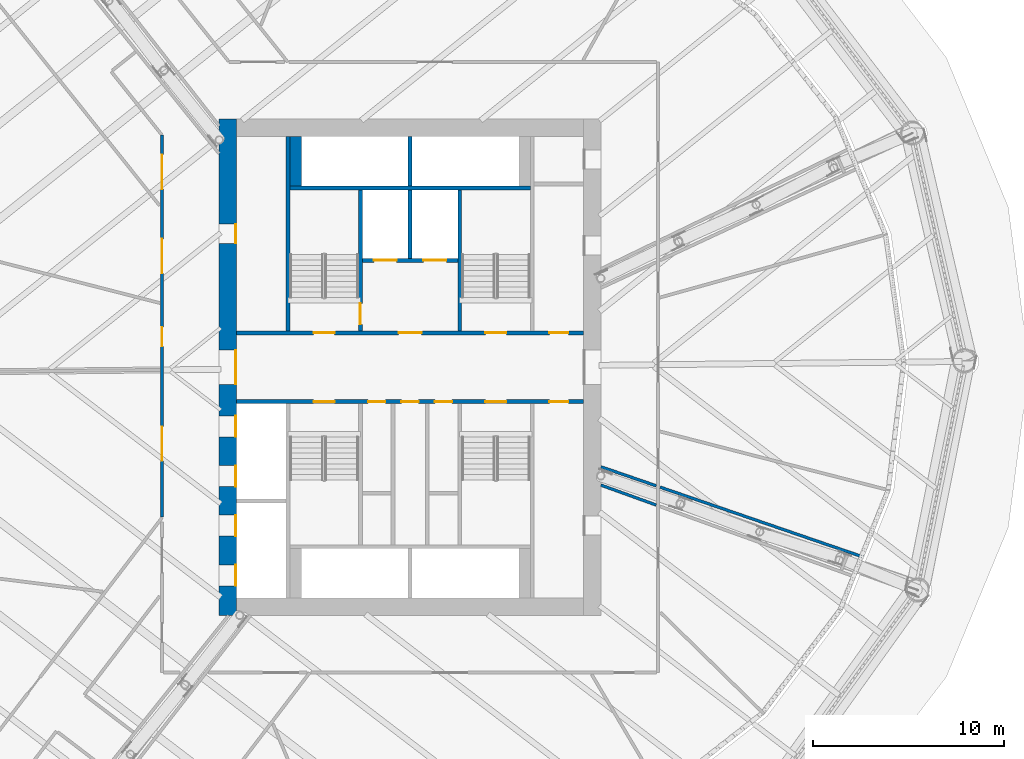
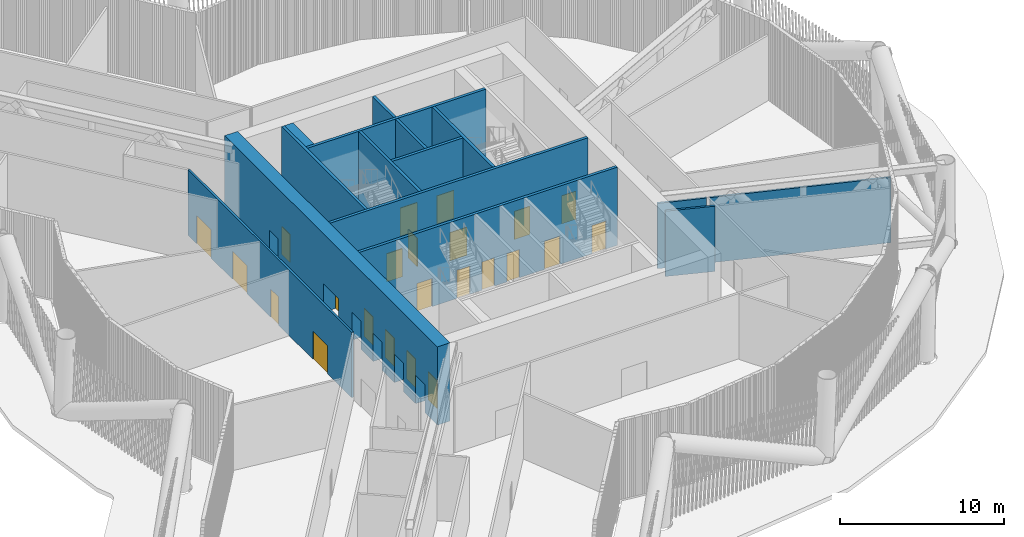
# One storey, part 16 of 48: 23 doors, 15 walls, 23 openings.
"""IFC4 building model written with IfcOpenShell, lengths in metres."""

from ifc_helpers import new_model, si_unit, direction, frame, frame_2d, origin, place, context, subcontext, project, spatial, rectangle, extrude, material, layer, layer_set, type_object, element, fill, save


model = new_model("IFC4")

# Units and contexts
model_context = context("Model", 3, precision=1e-05, world=origin(), true_north=direction((0.0, 1.0)))
body_context = subcontext(model_context, "Body", "Model", "MODEL_VIEW")
ifc_project = project(units=[si_unit("LENGTHUNIT", "METRE"), si_unit("AREAUNIT", "SQUARE_METRE"), si_unit("VOLUMEUNIT", "CUBIC_METRE"), si_unit("PLANEANGLEUNIT", "RADIAN"), si_unit("MASSUNIT", "GRAM", prefix="KILO")], contexts=[model_context])

# Site, building, storey
site_placement = place(None, origin())
site = spatial("IfcSite", under=ifc_project, at=site_placement, CompositionType="ELEMENT")
building_placement = place(site_placement, origin())
building = spatial("IfcBuilding", under=site, at=building_placement, Name="Tarsis Ring Headquarters", CompositionType="ELEMENT")
storey_placement = place(building_placement, frame((0.0, 0.0, 34.0)))
storey = spatial("IfcBuildingStorey", under=building, at=storey_placement, Name="L06", CompositionType="ELEMENT", Elevation=34.0)

# Wall, openings, doors
ifc_material_1 = material(Name="Concrete C60/75", Category="concrete")
ifc_layer_1 = layer(ifc_material_1, 0.89990234375)
ifc_layer_set_1 = layer_set([ifc_layer_1], Name="Core wall 900 C60/75")
wall_type_1 = type_object("IfcWallType", Name="Core wall 900 C60/75", PredefinedType="SHEAR", material=ifc_layer_set_1)
wall_1_placement = place(storey_placement, frame((-9.550048828125, -13.0, 0.0), z_axis=(0.0, 0.0, 1.0), x_axis=(0.0, 1.0, 0.0)))
wall_1 = element("IfcWall", 1, at=wall_1_placement, inside=storey, type_object=wall_type_1, Name="Core wall OW", PredefinedType="SHEAR", context=body_context, shape_type="SweptSolid", body=[
    extrude(rectangle(XDim=26.0, YDim=0.89990234375, at=frame_2d((13.0, 0.0))), origin(), (0.0, 0.0, 1.0), 5.840087890625),
])
opening_1_placement = place(wall_1_placement, frame((1.550048828125, 0.0, 0.0)))
opening_1 = element("IfcOpeningElement", 2, at=opening_1_placement, cuts=wall_1, Name="Opening LD-LR1", PredefinedType="OPENING", context=body_context, shape_type="SweptSolid", body=[
    extrude(rectangle(XDim=1.10009765625, YDim=2.10009765625, at=frame_2d((0.550048828125, 1.050048828125))), frame((0.0, 0.4599609375, 0.0), z_axis=(0.0, -1.0, 0.0), x_axis=(1.0, 0.0, 0.0)), (0.0, 0.0, 1.0), 0.919921875),
])
opening_2_placement = place(wall_1_placement, frame((4.14990234375, 0.0, 0.0)))
opening_2 = element("IfcOpeningElement", 3, at=opening_2_placement, cuts=wall_1, Name="Opening LD-LR2", PredefinedType="OPENING", context=body_context, shape_type="SweptSolid", body=[
    extrude(rectangle(XDim=1.10009765625, YDim=2.10009765625, at=frame_2d((0.550048828125, 1.050048828125))), frame((0.0, 0.4599609375, 0.0), z_axis=(0.0, -1.0, 0.0), x_axis=(1.0, 0.0, 0.0)), (0.0, 0.0, 1.0), 0.919921875),
])
opening_3_placement = place(wall_1_placement, frame((6.75, 0.0, 0.0)))
opening_3 = element("IfcOpeningElement", 4, at=opening_3_placement, cuts=wall_1, Name="Opening LD-LR3", PredefinedType="OPENING", context=body_context, shape_type="SweptSolid", body=[
    extrude(rectangle(XDim=1.10009765625, YDim=2.10009765625, at=frame_2d((0.550048828125, 1.050048828125))), frame((0.0, 0.4599609375, 0.0), z_axis=(0.0, -1.0, 0.0), x_axis=(1.0, 0.0, 0.0)), (0.0, 0.0, 1.0), 0.919921875),
])
opening_4_placement = place(wall_1_placement, frame((9.35009765625, 0.0, 0.0)))
opening_4 = element("IfcOpeningElement", 5, at=opening_4_placement, cuts=wall_1, Name="Opening LD-LR4", PredefinedType="OPENING", context=body_context, shape_type="SweptSolid", body=[
    extrude(rectangle(XDim=1.10009765625, YDim=2.10009765625, at=frame_2d((0.550048828125, 1.050048828125))), frame((0.0, 0.4599609375, 0.0), z_axis=(0.0, -1.0, 0.0), x_axis=(1.0, 0.0, 0.0)), (0.0, 0.0, 1.0), 0.919921875),
])
opening_5_placement = place(wall_1_placement, frame((12.10009765625, 0.0, 0.0)))
opening_5 = element("IfcOpeningElement", 6, at=opening_5_placement, cuts=wall_1, Name="Opening L06-C05", PredefinedType="OPENING", context=body_context, shape_type="SweptSolid", body=[
    extrude(rectangle(XDim=1.800048828125, YDim=2.10009765625, at=frame_2d((0.89990234375, 1.050048828125))), frame((0.0, 0.4599609375, 0.0), z_axis=(0.0, -1.0, 0.0), x_axis=(1.0, 0.0, 0.0)), (0.0, 0.0, 1.0), 0.919921875),
])
opening_6_placement = place(wall_1_placement, frame((19.5, 0.0, 0.0)))
opening_6 = element("IfcOpeningElement", 7, at=opening_6_placement, cuts=wall_1, Name="Opening L06-C06", PredefinedType="OPENING", context=body_context, shape_type="SweptSolid", body=[
    extrude(rectangle(XDim=1.0, YDim=2.10009765625, at=frame_2d((0.5, 1.050048828125))), frame((0.0, 0.4599609375, 0.0), z_axis=(0.0, -1.0, 0.0), x_axis=(1.0, 0.0, 0.0)), (0.0, 0.0, 1.0), 0.919921875),
])
ifc_material_2 = material(Name="Steel S355", Category="steel")
door_type_1 = type_object("IfcDoorType", Name="Core entry door 1800x2100", OperationType="DOUBLE_DOOR_SINGLE_SWING", PredefinedType="DOOR", material=ifc_material_2)
door_1_placement = place(opening_5_placement, origin())
door_1 = element("IfcDoor", 8, at=door_1_placement, inside=storey, type_object=door_type_1, Name="Core entry door L06", OperationType="DOUBLE_DOOR_SINGLE_SWING", OverallHeight=2.10009765625, OverallWidth=1.800048828125, PredefinedType="DOOR", context=body_context, shape_type="SweptSolid", body=[
    extrude(rectangle(XDim=1.800048828125, YDim=2.10009765625, at=frame_2d((0.89990234375, 1.050048828125))), frame((0.0, -0.39990234375, 0.0), z_axis=(0.0, -1.0, 0.0), x_axis=(1.0, 0.0, 0.0)), (0.0, 0.0, 1.0), 0.050048828125),
])
fill(opening_5, door_1)
door_type_2 = type_object("IfcDoorType", Name="Core room door 1000x2100", OperationType="SINGLE_SWING_LEFT", PredefinedType="DOOR", material=ifc_material_2)
door_2_placement = place(opening_6_placement, origin())
door_2 = element("IfcDoor", 9, at=door_2_placement, inside=storey, type_object=door_type_2, Name="Core room door L06", OperationType="SINGLE_SWING_LEFT", OverallHeight=2.10009765625, OverallWidth=1.0, PredefinedType="DOOR", context=body_context, shape_type="SweptSolid", body=[
    extrude(rectangle(XDim=1.0, YDim=2.10009765625, at=frame_2d((0.5, 1.050048828125))), frame((0.0, -0.39990234375, 0.0), z_axis=(0.0, -1.0, 0.0), x_axis=(1.0, 0.0, 0.0)), (0.0, 0.0, 1.0), 0.050048828125),
])
fill(opening_6, door_2)
door_type_3 = type_object("IfcDoorType", Name="Landing door 1100x2100", OperationType="SLIDING_TO_LEFT", PredefinedType="DOOR", material=ifc_material_2)
door_3_placement = place(opening_1_placement, origin())
door_3 = element("IfcDoor", 10, at=door_3_placement, inside=storey, type_object=door_type_3, Name="Landing door LR1 L06", OperationType="SLIDING_TO_LEFT", OverallHeight=2.10009765625, OverallWidth=1.10009765625, PredefinedType="DOOR", context=body_context, shape_type="SweptSolid", body=[
    extrude(rectangle(XDim=1.10009765625, YDim=2.10009765625, at=frame_2d((0.550048828125, 1.050048828125))), frame((0.0, -0.39990234375, 0.0), z_axis=(0.0, -1.0, 0.0), x_axis=(1.0, 0.0, 0.0)), (0.0, 0.0, 1.0), 0.050048828125),
])
fill(opening_1, door_3)
door_4_placement = place(opening_2_placement, origin())
door_4 = element("IfcDoor", 11, at=door_4_placement, inside=storey, type_object=door_type_3, Name="Landing door LR2 L06", OperationType="SLIDING_TO_LEFT", OverallHeight=2.10009765625, OverallWidth=1.10009765625, PredefinedType="DOOR", context=body_context, shape_type="SweptSolid", body=[
    extrude(rectangle(XDim=1.10009765625, YDim=2.10009765625, at=frame_2d((0.550048828125, 1.050048828125))), frame((0.0, -0.39990234375, 0.0), z_axis=(0.0, -1.0, 0.0), x_axis=(1.0, 0.0, 0.0)), (0.0, 0.0, 1.0), 0.050048828125),
])
fill(opening_2, door_4)
door_5_placement = place(opening_3_placement, origin())
door_5 = element("IfcDoor", 12, at=door_5_placement, inside=storey, type_object=door_type_3, Name="Landing door LR3 L06", OperationType="SLIDING_TO_LEFT", OverallHeight=2.10009765625, OverallWidth=1.10009765625, PredefinedType="DOOR", context=body_context, shape_type="SweptSolid", body=[
    extrude(rectangle(XDim=1.10009765625, YDim=2.10009765625, at=frame_2d((0.550048828125, 1.050048828125))), frame((0.0, -0.39990234375, 0.0), z_axis=(0.0, -1.0, 0.0), x_axis=(1.0, 0.0, 0.0)), (0.0, 0.0, 1.0), 0.050048828125),
])
fill(opening_3, door_5)
door_6_placement = place(opening_4_placement, origin())
door_6 = element("IfcDoor", 13, at=door_6_placement, inside=storey, type_object=door_type_3, Name="Landing door LR4 L06", OperationType="SLIDING_TO_LEFT", OverallHeight=2.10009765625, OverallWidth=1.10009765625, PredefinedType="DOOR", context=body_context, shape_type="SweptSolid", body=[
    extrude(rectangle(XDim=1.10009765625, YDim=2.10009765625, at=frame_2d((0.550048828125, 1.050048828125))), frame((0.0, -0.39990234375, 0.0), z_axis=(0.0, -1.0, 0.0), x_axis=(1.0, 0.0, 0.0)), (0.0, 0.0, 1.0), 0.050048828125),
])
fill(opening_4, door_6)

ifc_material_3 = material(Name="Gypsum board on steel studs", Category="steel")
ifc_layer_2 = layer(ifc_material_3, 0.14990234375)
ifc_layer_set_2 = layer_set([ifc_layer_2], Name="FL partition 150 EI 120 H4870")
wall_type_2 = type_object("IfcWallType", Name="FL partition 150 EI 120 H4870", PredefinedType="PARTITIONING", material=ifc_layer_set_2)
wall_2_placement = place(storey_placement, frame((-13.0, -7.83642578125, 0.0), z_axis=(0.0, 0.0, 1.0), x_axis=(0.0, 1.0, 0.0)))
wall_2 = element("IfcWall", 14, at=wall_2_placement, inside=storey, type_object=wall_type_2, Name="Partition PW2H487", PredefinedType="PARTITIONING", context=body_context, shape_type="SweptSolid", body=[
    extrude(rectangle(XDim=20.001708984375, YDim=0.14990234375, at=frame_2d((10.0009765625, 0.0))), origin(), (0.0, 0.0, 1.0), 4.8701171875),
])
opening_7_placement = place(wall_2_placement, frame((12.7646484375, 0.0, 0.0)))
opening_7 = element("IfcOpeningElement", 15, at=opening_7_placement, cuts=wall_2, Name="Opening D06.02", PredefinedType="OPENING", context=body_context, shape_type="SweptSolid", body=[
    extrude(rectangle(XDim=1.800048828125, YDim=2.10009765625, at=frame_2d((0.89990234375, 1.050048828125))), frame((0.0, 0.0849609375, 0.0), z_axis=(0.0, -1.0, 0.0), x_axis=(1.0, 0.0, 0.0)), (0.0, 0.0, 1.0), 0.169921875),
])
opening_8_placement = place(wall_2_placement, frame((8.9375, 0.0, 0.0)))
opening_8 = element("IfcOpeningElement", 16, at=opening_8_placement, cuts=wall_2, Name="Opening D06.03", PredefinedType="OPENING", context=body_context, shape_type="SweptSolid", body=[
    extrude(rectangle(XDim=1.0, YDim=2.10009765625, at=frame_2d((0.5, 1.050048828125))), frame((0.0, 0.0849609375, 0.0), z_axis=(0.0, -1.0, 0.0), x_axis=(1.0, 0.0, 0.0)), (0.0, 0.0, 1.0), 0.169921875),
])
opening_9_placement = place(wall_2_placement, frame((2.927490234375, 0.0, 0.0)))
opening_9 = element("IfcOpeningElement", 17, at=opening_9_placement, cuts=wall_2, Name="Opening D06.04", PredefinedType="OPENING", context=body_context, shape_type="SweptSolid", body=[
    extrude(rectangle(XDim=1.800048828125, YDim=2.10009765625, at=frame_2d((0.89990234375, 1.050048828125))), frame((0.0, 0.0849609375, 0.0), z_axis=(0.0, -1.0, 0.0), x_axis=(1.0, 0.0, 0.0)), (0.0, 0.0, 1.0), 0.169921875),
])
opening_10_placement = place(wall_2_placement, frame((17.178466796875, 0.0, 0.0)))
opening_10 = element("IfcOpeningElement", 18, at=opening_10_placement, cuts=wall_2, Name="Opening D06.23", PredefinedType="OPENING", context=body_context, shape_type="SweptSolid", body=[
    extrude(rectangle(XDim=1.800048828125, YDim=2.10009765625, at=frame_2d((0.89990234375, 1.050048828125))), frame((0.0, 0.0849609375, 0.0), z_axis=(0.0, -1.0, 0.0), x_axis=(1.0, 0.0, 0.0)), (0.0, 0.0, 1.0), 0.169921875),
])
ifc_material_4 = material(Name="Fire-rated timber door leaf in steel frame", Category="steel")
door_type_4 = type_object("IfcDoorType", Name="FL door FD120-1000", OperationType="NOTDEFINED", PredefinedType="DOOR", material=ifc_material_4)
door_7_placement = place(opening_8_placement, origin())
door_7 = element("IfcDoor", 19, at=door_7_placement, inside=storey, type_object=door_type_4, Name="Door D06.03", OperationType="SINGLE_SWING_LEFT", OverallHeight=2.10009765625, OverallWidth=1.0, PredefinedType="DOOR", context=body_context, shape_type="SweptSolid", body=[
    extrude(rectangle(XDim=1.0, YDim=2.10009765625, at=frame_2d((0.5, 1.050048828125))), frame((0.0, 0.02490234375, 0.0), z_axis=(0.0, -1.0, 0.0), x_axis=(1.0, 0.0, 0.0)), (0.0, 0.0, 1.0), 0.050048828125),
])
fill(opening_8, door_7)
door_type_5 = type_object("IfcDoorType", Name="FL door FD120-1800", OperationType="DOUBLE_DOOR_SINGLE_SWING", PredefinedType="DOOR", material=ifc_material_4)
door_8_placement = place(opening_7_placement, origin())
door_8 = element("IfcDoor", 20, at=door_8_placement, inside=storey, type_object=door_type_5, Name="Door D06.02", OperationType="DOUBLE_DOOR_SINGLE_SWING", OverallHeight=2.10009765625, OverallWidth=1.800048828125, PredefinedType="DOOR", context=body_context, shape_type="SweptSolid", body=[
    extrude(rectangle(XDim=1.800048828125, YDim=2.10009765625, at=frame_2d((0.89990234375, 1.050048828125))), frame((0.0, 0.02490234375, 0.0), z_axis=(0.0, -1.0, 0.0), x_axis=(1.0, 0.0, 0.0)), (0.0, 0.0, 1.0), 0.050048828125),
])
fill(opening_7, door_8)
door_9_placement = place(opening_9_placement, origin())
door_9 = element("IfcDoor", 21, at=door_9_placement, inside=storey, type_object=door_type_5, Name="Door D06.04", OperationType="DOUBLE_DOOR_SINGLE_SWING", OverallHeight=2.10009765625, OverallWidth=1.800048828125, PredefinedType="DOOR", context=body_context, shape_type="SweptSolid", body=[
    extrude(rectangle(XDim=1.800048828125, YDim=2.10009765625, at=frame_2d((0.89990234375, 1.050048828125))), frame((0.0, 0.02490234375, 0.0), z_axis=(0.0, -1.0, 0.0), x_axis=(1.0, 0.0, 0.0)), (0.0, 0.0, 1.0), 0.050048828125),
])
fill(opening_9, door_9)
door_10_placement = place(opening_10_placement, origin())
door_10 = element("IfcDoor", 22, at=door_10_placement, inside=storey, type_object=door_type_5, Name="Door D06.23", OperationType="DOUBLE_DOOR_SINGLE_SWING", OverallHeight=2.10009765625, OverallWidth=1.800048828125, PredefinedType="DOOR", context=body_context, shape_type="SweptSolid", body=[
    extrude(rectangle(XDim=1.800048828125, YDim=2.10009765625, at=frame_2d((0.89990234375, 1.050048828125))), frame((0.0, 0.02490234375, 0.0), z_axis=(0.0, -1.0, 0.0), x_axis=(1.0, 0.0, 0.0)), (0.0, 0.0, 1.0), 0.050048828125),
])
fill(opening_10, door_10)

# Walls
wall_3_placement = place(storey_placement, frame((10.000732421875, -5.215087890625, 0.0), z_axis=(0.0, 0.0, 1.0), x_axis=(0.945688129049, -0.325075318312, 0.0)))
element("IfcWall", 23, at=wall_3_placement, inside=storey, type_object=wall_type_2, Name="Partition PW2H487", PredefinedType="PARTITIONING", context=body_context, shape_type="SweptSolid", body=[
    extrude(rectangle(XDim=3.06640625, YDim=0.14990234375, at=frame_2d((1.533203125, 0.0))), origin(), (0.0, 0.0, 1.0), 4.8701171875),
])
wall_4_placement = place(storey_placement, frame((13.099365234375, -6.2802734375, 0.0), z_axis=(0.0, 0.0, 1.0), x_axis=(0.94566699175, -0.325136803077, 0.0)))
element("IfcWall", 24, at=wall_4_placement, inside=storey, type_object=wall_type_2, Name="Partition PW2H487", PredefinedType="PARTITIONING", context=body_context, shape_type="SweptSolid", body=[
    extrude(rectangle(XDim=11.245361328125, YDim=0.14990234375, at=frame_2d((5.62255859375, 0.0))), origin(), (0.0, 0.0, 1.0), 4.8701171875),
])
wall_5_placement = place(storey_placement, frame((10.0, -6.172119140625, 0.0), z_axis=(0.0, 0.0, 1.0), x_axis=(0.940593250688, -0.339535472019, 0.0)))
element("IfcWall", 25, at=wall_5_placement, inside=storey, type_object=wall_type_2, Name="Partition PW2H487", PredefinedType="PARTITIONING", context=body_context, shape_type="SweptSolid", body=[
    extrude(rectangle(XDim=3.08251953125, YDim=0.14990234375, at=frame_2d((1.541259765625, 0.0))), origin(), (0.0, 0.0, 1.0), 4.8701171875),
])
ifc_material_5 = material(Name="Concrete C32/40", Category="concrete")
ifc_layer_3 = layer(ifc_material_5, 0.60009765625)
ifc_layer_set_3 = layer_set([ifc_layer_3], Name="Shaft end wall 600 C32/40")
wall_type_3 = type_object("IfcWallType", Name="Shaft end wall 600 C32/40", PredefinedType="SOLIDWALL", material=ifc_layer_set_3)
wall_6_placement = place(storey_placement, frame((-6.0, 9.5, 0.0), z_axis=(0.0, 0.0, 1.0), x_axis=(0.0, 1.0, 0.0)))
element("IfcWall", 26, at=wall_6_placement, inside=storey, type_object=wall_type_3, Name="Core shaft wall NNE1", PredefinedType="SOLIDWALL", context=body_context, shape_type="SweptSolid", body=[
    extrude(rectangle(XDim=2.60009765625, YDim=0.60009765625, at=frame_2d((1.300048828125, 0.0))), origin(), (0.0, 0.0, 1.0), 5.840087890625),
])

# Wall, openings, doors
ifc_layer_4 = layer(ifc_material_5, 0.199951171875)
ifc_layer_set_4 = layer_set([ifc_layer_4], Name="Shaft wall 200 C32/40")
wall_type_4 = type_object("IfcWallType", Name="Shaft wall 200 C32/40", PredefinedType="SOLIDWALL", material=ifc_layer_set_4)
wall_7_placement = place(storey_placement, frame((-9.10009765625, 1.800048828125, 0.0), z_axis=(0.0, 0.0, 1.0), x_axis=(1.0, 0.0, 0.0)))
wall_7 = element("IfcWall", 27, at=wall_7_placement, inside=storey, type_object=wall_type_4, Name="Core shaft wall CN", PredefinedType="SOLIDWALL", context=body_context, shape_type="SweptSolid", body=[
    extrude(rectangle(XDim=18.2001953125, YDim=0.199951171875, at=frame_2d((9.10009765625, 0.0))), origin(), (0.0, 0.0, 1.0), 5.840087890625),
])
opening_11_placement = place(wall_7_placement, frame((4.050048828125, 0.0, 0.0)))
opening_11 = element("IfcOpeningElement", 28, at=opening_11_placement, cuts=wall_7, Name="Opening L06-C11", PredefinedType="OPENING", context=body_context, shape_type="SweptSolid", body=[
    extrude(rectangle(XDim=1.10009765625, YDim=2.10009765625, at=frame_2d((0.550048828125, 1.050048828125))), frame((0.0, 0.10986328125, 0.0), z_axis=(0.0, -1.0, 0.0), x_axis=(1.0, 0.0, 0.0)), (0.0, 0.0, 1.0), 0.219970703125),
])
opening_12_placement = place(wall_7_placement, frame((8.5, 0.0, 0.0)))
opening_12 = element("IfcOpeningElement", 29, at=opening_12_placement, cuts=wall_7, Name="Opening L06-C12", PredefinedType="OPENING", context=body_context, shape_type="SweptSolid", body=[
    extrude(rectangle(XDim=1.199951171875, YDim=2.10009765625, at=frame_2d((0.60009765625, 1.050048828125))), frame((0.0, 0.10986328125, 0.0), z_axis=(0.0, -1.0, 0.0), x_axis=(1.0, 0.0, 0.0)), (0.0, 0.0, 1.0), 0.219970703125),
])
opening_13_placement = place(wall_7_placement, frame((13.050048828125, 0.0, 0.0)))
opening_13 = element("IfcOpeningElement", 30, at=opening_13_placement, cuts=wall_7, Name="Opening L06-C13", PredefinedType="OPENING", context=body_context, shape_type="SweptSolid", body=[
    extrude(rectangle(XDim=1.10009765625, YDim=2.10009765625, at=frame_2d((0.550048828125, 1.050048828125))), frame((0.0, 0.10986328125, 0.0), z_axis=(0.0, -1.0, 0.0), x_axis=(1.0, 0.0, 0.0)), (0.0, 0.0, 1.0), 0.219970703125),
])
opening_14_placement = place(wall_7_placement, frame((16.39990234375, 0.0, 0.0)))
opening_14 = element("IfcOpeningElement", 31, at=opening_14_placement, cuts=wall_7, Name="Opening L06-C14", PredefinedType="OPENING", context=body_context, shape_type="SweptSolid", body=[
    extrude(rectangle(XDim=1.0, YDim=2.10009765625, at=frame_2d((0.5, 1.050048828125))), frame((0.0, 0.10986328125, 0.0), z_axis=(0.0, -1.0, 0.0), x_axis=(1.0, 0.0, 0.0)), (0.0, 0.0, 1.0), 0.219970703125),
])
door_11_placement = place(opening_14_placement, origin())
door_11 = element("IfcDoor", 32, at=door_11_placement, inside=storey, type_object=door_type_2, Name="Core room door L06", OperationType="SINGLE_SWING_LEFT", OverallHeight=2.10009765625, OverallWidth=1.0, PredefinedType="DOOR", context=body_context, shape_type="SweptSolid", body=[
    extrude(rectangle(XDim=1.0, YDim=2.10009765625, at=frame_2d((0.5, 1.050048828125))), frame((0.0, 0.02490234375, 0.0), z_axis=(0.0, -1.0, 0.0), x_axis=(1.0, 0.0, 0.0)), (0.0, 0.0, 1.0), 0.050048828125),
])
fill(opening_14, door_11)
door_type_6 = type_object("IfcDoorType", Name="Firefighting lobby door 1200x2100", OperationType="DOUBLE_DOOR_SINGLE_SWING", PredefinedType="DOOR", material=ifc_material_2)
door_12_placement = place(opening_12_placement, origin())
door_12 = element("IfcDoor", 33, at=door_12_placement, inside=storey, type_object=door_type_6, Name="Firefighting lobby door L06", OperationType="DOUBLE_DOOR_SINGLE_SWING", OverallHeight=2.10009765625, OverallWidth=1.199951171875, PredefinedType="DOOR", context=body_context, shape_type="SweptSolid", body=[
    extrude(rectangle(XDim=1.199951171875, YDim=2.10009765625, at=frame_2d((0.60009765625, 1.050048828125))), frame((0.0, 0.02490234375, 0.0), z_axis=(0.0, -1.0, 0.0), x_axis=(1.0, 0.0, 0.0)), (0.0, 0.0, 1.0), 0.050048828125),
])
fill(opening_12, door_12)
door_type_7 = type_object("IfcDoorType", Name="Stair door 1100x2100", OperationType="SINGLE_SWING_LEFT", PredefinedType="DOOR", material=ifc_material_2)
door_13_placement = place(opening_11_placement, origin())
door_13 = element("IfcDoor", 34, at=door_13_placement, inside=storey, type_object=door_type_7, Name="Stair door L06", OperationType="SINGLE_SWING_LEFT", OverallHeight=2.10009765625, OverallWidth=1.10009765625, PredefinedType="DOOR", context=body_context, shape_type="SweptSolid", body=[
    extrude(rectangle(XDim=1.10009765625, YDim=2.10009765625, at=frame_2d((0.550048828125, 1.050048828125))), frame((0.0, 0.02490234375, 0.0), z_axis=(0.0, -1.0, 0.0), x_axis=(1.0, 0.0, 0.0)), (0.0, 0.0, 1.0), 0.050048828125),
])
fill(opening_11, door_13)
door_14_placement = place(opening_13_placement, origin())
door_14 = element("IfcDoor", 35, at=door_14_placement, inside=storey, type_object=door_type_7, Name="Stair door L06", OperationType="SINGLE_SWING_LEFT", OverallHeight=2.10009765625, OverallWidth=1.10009765625, PredefinedType="DOOR", context=body_context, shape_type="SweptSolid", body=[
    extrude(rectangle(XDim=1.10009765625, YDim=2.10009765625, at=frame_2d((0.550048828125, 1.050048828125))), frame((0.0, 0.02490234375, 0.0), z_axis=(0.0, -1.0, 0.0), x_axis=(1.0, 0.0, 0.0)), (0.0, 0.0, 1.0), 0.050048828125),
])
fill(opening_13, door_14)

wall_8_placement = place(storey_placement, frame((-9.10009765625, -1.800048828125, 0.0), z_axis=(0.0, 0.0, 1.0), x_axis=(1.0, 0.0, 0.0)))
wall_8 = element("IfcWall", 36, at=wall_8_placement, inside=storey, type_object=wall_type_4, Name="Core shaft wall CS", PredefinedType="SOLIDWALL", context=body_context, shape_type="SweptSolid", body=[
    extrude(rectangle(XDim=18.2001953125, YDim=0.199951171875, at=frame_2d((9.10009765625, 0.0))), origin(), (0.0, 0.0, 1.0), 5.840087890625),
])
opening_15_placement = place(wall_8_placement, frame((4.050048828125, 0.0, 0.0)))
opening_15 = element("IfcOpeningElement", 37, at=opening_15_placement, cuts=wall_8, Name="Opening L06-C15", PredefinedType="OPENING", context=body_context, shape_type="SweptSolid", body=[
    extrude(rectangle(XDim=1.10009765625, YDim=2.10009765625, at=frame_2d((0.550048828125, 1.050048828125))), frame((0.0, 0.10986328125, 0.0), z_axis=(0.0, -1.0, 0.0), x_axis=(1.0, 0.0, 0.0)), (0.0, 0.0, 1.0), 0.219970703125),
])
opening_16_placement = place(wall_8_placement, frame((6.89990234375, 0.0, 0.0)))
opening_16 = element("IfcOpeningElement", 38, at=opening_16_placement, cuts=wall_8, Name="Opening L06-C16", PredefinedType="OPENING", context=body_context, shape_type="SweptSolid", body=[
    extrude(rectangle(XDim=0.89990234375, YDim=2.10009765625, at=frame_2d((0.449951171875, 1.050048828125))), frame((0.0, 0.10986328125, 0.0), z_axis=(0.0, -1.0, 0.0), x_axis=(1.0, 0.0, 0.0)), (0.0, 0.0, 1.0), 0.219970703125),
])
opening_17_placement = place(wall_8_placement, frame((8.64990234375, 0.0, 0.0)))
opening_17 = element("IfcOpeningElement", 39, at=opening_17_placement, cuts=wall_8, Name="Opening L06-C17", PredefinedType="OPENING", context=body_context, shape_type="SweptSolid", body=[
    extrude(rectangle(XDim=0.89990234375, YDim=2.10009765625, at=frame_2d((0.449951171875, 1.050048828125))), frame((0.0, 0.10986328125, 0.0), z_axis=(0.0, -1.0, 0.0), x_axis=(1.0, 0.0, 0.0)), (0.0, 0.0, 1.0), 0.219970703125),
])
opening_18_placement = place(wall_8_placement, frame((10.39990234375, 0.0, 0.0)))
opening_18 = element("IfcOpeningElement", 40, at=opening_18_placement, cuts=wall_8, Name="Opening L06-C18", PredefinedType="OPENING", context=body_context, shape_type="SweptSolid", body=[
    extrude(rectangle(XDim=0.89990234375, YDim=2.10009765625, at=frame_2d((0.449951171875, 1.050048828125))), frame((0.0, 0.10986328125, 0.0), z_axis=(0.0, -1.0, 0.0), x_axis=(1.0, 0.0, 0.0)), (0.0, 0.0, 1.0), 0.219970703125),
])
opening_19_placement = place(wall_8_placement, frame((13.050048828125, 0.0, 0.0)))
opening_19 = element("IfcOpeningElement", 41, at=opening_19_placement, cuts=wall_8, Name="Opening L06-C19", PredefinedType="OPENING", context=body_context, shape_type="SweptSolid", body=[
    extrude(rectangle(XDim=1.10009765625, YDim=2.10009765625, at=frame_2d((0.550048828125, 1.050048828125))), frame((0.0, 0.10986328125, 0.0), z_axis=(0.0, -1.0, 0.0), x_axis=(1.0, 0.0, 0.0)), (0.0, 0.0, 1.0), 0.219970703125),
])
opening_20_placement = place(wall_8_placement, frame((16.39990234375, 0.0, 0.0)))
opening_20 = element("IfcOpeningElement", 42, at=opening_20_placement, cuts=wall_8, Name="Opening L06-C20", PredefinedType="OPENING", context=body_context, shape_type="SweptSolid", body=[
    extrude(rectangle(XDim=1.0, YDim=2.10009765625, at=frame_2d((0.5, 1.050048828125))), frame((0.0, 0.10986328125, 0.0), z_axis=(0.0, -1.0, 0.0), x_axis=(1.0, 0.0, 0.0)), (0.0, 0.0, 1.0), 0.219970703125),
])
door_15_placement = place(opening_20_placement, origin())
door_15 = element("IfcDoor", 43, at=door_15_placement, inside=storey, type_object=door_type_2, Name="Core room door L06", OperationType="SINGLE_SWING_LEFT", OverallHeight=2.10009765625, OverallWidth=1.0, PredefinedType="DOOR", context=body_context, shape_type="SweptSolid", body=[
    extrude(rectangle(XDim=1.0, YDim=2.10009765625, at=frame_2d((0.5, 1.050048828125))), frame((0.0, 0.02490234375, 0.0), z_axis=(0.0, -1.0, 0.0), x_axis=(1.0, 0.0, 0.0)), (0.0, 0.0, 1.0), 0.050048828125),
])
fill(opening_20, door_15)
door_16_placement = place(opening_15_placement, origin())
door_16 = element("IfcDoor", 44, at=door_16_placement, inside=storey, type_object=door_type_7, Name="Stair door L06", OperationType="SINGLE_SWING_LEFT", OverallHeight=2.10009765625, OverallWidth=1.10009765625, PredefinedType="DOOR", context=body_context, shape_type="SweptSolid", body=[
    extrude(rectangle(XDim=1.10009765625, YDim=2.10009765625, at=frame_2d((0.550048828125, 1.050048828125))), frame((0.0, 0.02490234375, 0.0), z_axis=(0.0, -1.0, 0.0), x_axis=(1.0, 0.0, 0.0)), (0.0, 0.0, 1.0), 0.050048828125),
])
fill(opening_15, door_16)
door_17_placement = place(opening_19_placement, origin())
door_17 = element("IfcDoor", 45, at=door_17_placement, inside=storey, type_object=door_type_7, Name="Stair door L06", OperationType="SINGLE_SWING_LEFT", OverallHeight=2.10009765625, OverallWidth=1.10009765625, PredefinedType="DOOR", context=body_context, shape_type="SweptSolid", body=[
    extrude(rectangle(XDim=1.10009765625, YDim=2.10009765625, at=frame_2d((0.550048828125, 1.050048828125))), frame((0.0, 0.02490234375, 0.0), z_axis=(0.0, -1.0, 0.0), x_axis=(1.0, 0.0, 0.0)), (0.0, 0.0, 1.0), 0.050048828125),
])
fill(opening_19, door_17)
door_type_8 = type_object("IfcDoorType", Name="WC door 900x2100", OperationType="SINGLE_SWING_LEFT", PredefinedType="DOOR", material=ifc_material_2)
door_18_placement = place(opening_16_placement, origin())
door_18 = element("IfcDoor", 46, at=door_18_placement, inside=storey, type_object=door_type_8, Name="WC door L06", OperationType="SINGLE_SWING_LEFT", OverallHeight=2.10009765625, OverallWidth=0.89990234375, PredefinedType="DOOR", context=body_context, shape_type="SweptSolid", body=[
    extrude(rectangle(XDim=0.89990234375, YDim=2.10009765625, at=frame_2d((0.449951171875, 1.050048828125))), frame((0.0, 0.02490234375, 0.0), z_axis=(0.0, -1.0, 0.0), x_axis=(1.0, 0.0, 0.0)), (0.0, 0.0, 1.0), 0.050048828125),
])
fill(opening_16, door_18)
door_19_placement = place(opening_17_placement, origin())
door_19 = element("IfcDoor", 47, at=door_19_placement, inside=storey, type_object=door_type_8, Name="WC door L06", OperationType="SINGLE_SWING_LEFT", OverallHeight=2.10009765625, OverallWidth=0.89990234375, PredefinedType="DOOR", context=body_context, shape_type="SweptSolid", body=[
    extrude(rectangle(XDim=0.89990234375, YDim=2.10009765625, at=frame_2d((0.449951171875, 1.050048828125))), frame((0.0, 0.02490234375, 0.0), z_axis=(0.0, -1.0, 0.0), x_axis=(1.0, 0.0, 0.0)), (0.0, 0.0, 1.0), 0.050048828125),
])
fill(opening_17, door_19)
door_20_placement = place(opening_18_placement, origin())
door_20 = element("IfcDoor", 48, at=door_20_placement, inside=storey, type_object=door_type_8, Name="WC door L06", OperationType="SINGLE_SWING_LEFT", OverallHeight=2.10009765625, OverallWidth=0.89990234375, PredefinedType="DOOR", context=body_context, shape_type="SweptSolid", body=[
    extrude(rectangle(XDim=0.89990234375, YDim=2.10009765625, at=frame_2d((0.449951171875, 1.050048828125))), frame((0.0, 0.02490234375, 0.0), z_axis=(0.0, -1.0, 0.0), x_axis=(1.0, 0.0, 0.0)), (0.0, 0.0, 1.0), 0.050048828125),
])
fill(opening_18, door_20)

# Walls
wall_9_placement = place(storey_placement, frame((-6.39990234375, 1.89990234375, 0.0), z_axis=(0.0, 0.0, 1.0), x_axis=(0.0, 1.0, 0.0)))
element("IfcWall", 49, at=wall_9_placement, inside=storey, type_object=wall_type_4, Name="Core shaft wall WB2", PredefinedType="SOLIDWALL", context=body_context, shape_type="SweptSolid", body=[
    extrude(rectangle(XDim=10.2001953125, YDim=0.199951171875, at=frame_2d((5.10009765625, 0.0))), origin(), (0.0, 0.0, 1.0), 5.840087890625),
])
wall_10_placement = place(storey_placement, frame((-6.300048828125, 9.39990234375, 0.0), z_axis=(0.0, 0.0, 1.0), x_axis=(1.0, 0.0, 0.0)))
element("IfcWall", 50, at=wall_10_placement, inside=storey, type_object=wall_type_4, Name="Core shaft wall NB", PredefinedType="SOLIDWALL", context=body_context, shape_type="SweptSolid", body=[
    extrude(rectangle(XDim=12.60009765625, YDim=0.199951171875, at=frame_2d((6.300048828125, 0.0))), origin(), (0.0, 0.0, 1.0), 5.840087890625),
])

# Wall, opening, door
wall_11_placement = place(storey_placement, frame((-2.60009765625, 1.89990234375, 0.0), z_axis=(0.0, 0.0, 1.0), x_axis=(0.0, 1.0, 0.0)))
wall_11 = element("IfcWall", 51, at=wall_11_placement, inside=storey, type_object=wall_type_4, Name="Core shaft wall SW1", PredefinedType="SOLIDWALL", context=body_context, shape_type="SweptSolid", body=[
    extrude(rectangle(XDim=7.400146484375, YDim=0.199951171875, at=frame_2d((3.7001953125, 0.0))), origin(), (0.0, 0.0, 1.0), 5.840087890625),
])
opening_21_placement = place(wall_11_placement, frame((0.35009765625, 0.0, 0.0)))
opening_21 = element("IfcOpeningElement", 52, at=opening_21_placement, cuts=wall_11, Name="Opening L06-C21", PredefinedType="OPENING", context=body_context, shape_type="SweptSolid", body=[
    extrude(rectangle(XDim=1.10009765625, YDim=2.10009765625, at=frame_2d((0.550048828125, 1.050048828125))), frame((0.0, 0.10986328125, 0.0), z_axis=(0.0, -1.0, 0.0), x_axis=(1.0, 0.0, 0.0)), (0.0, 0.0, 1.0), 0.219970703125),
])
door_21_placement = place(opening_21_placement, origin())
door_21 = element("IfcDoor", 53, at=door_21_placement, inside=storey, type_object=door_type_7, Name="Stair door L06", OperationType="SINGLE_SWING_LEFT", OverallHeight=2.10009765625, OverallWidth=1.10009765625, PredefinedType="DOOR", context=body_context, shape_type="SweptSolid", body=[
    extrude(rectangle(XDim=1.10009765625, YDim=2.10009765625, at=frame_2d((0.550048828125, 1.050048828125))), frame((0.0, 0.02490234375, 0.0), z_axis=(0.0, -1.0, 0.0), x_axis=(1.0, 0.0, 0.0)), (0.0, 0.0, 1.0), 0.050048828125),
])
fill(opening_21, door_21)

# Wall
wall_12_placement = place(storey_placement, frame((2.60009765625, 1.89990234375, 0.0), z_axis=(0.0, 0.0, 1.0), x_axis=(0.0, 1.0, 0.0)))
element("IfcWall", 54, at=wall_12_placement, inside=storey, type_object=wall_type_4, Name="Core shaft wall SW2", PredefinedType="SOLIDWALL", context=body_context, shape_type="SweptSolid", body=[
    extrude(rectangle(XDim=7.400146484375, YDim=0.199951171875, at=frame_2d((3.7001953125, 0.0))), origin(), (0.0, 0.0, 1.0), 5.840087890625),
])

# Wall, openings, doors
wall_13_placement = place(storey_placement, frame((-2.5, 5.60009765625, 0.0), z_axis=(0.0, 0.0, 1.0), x_axis=(1.0, 0.0, 0.0)))
wall_13 = element("IfcWall", 55, at=wall_13_placement, inside=storey, type_object=wall_type_4, Name="Core shaft wall FFN", PredefinedType="SOLIDWALL", context=body_context, shape_type="SweptSolid", body=[
    extrude(rectangle(XDim=5.0, YDim=0.199951171875, at=frame_2d((2.5, 0.0))), origin(), (0.0, 0.0, 1.0), 5.840087890625),
])
opening_22_placement = place(wall_13_placement, frame((0.60009765625, 0.0, 0.0)))
opening_22 = element("IfcOpeningElement", 56, at=opening_22_placement, cuts=wall_13, Name="Opening LDF-1", PredefinedType="OPENING", context=body_context, shape_type="SweptSolid", body=[
    extrude(rectangle(XDim=1.199951171875, YDim=2.10009765625, at=frame_2d((0.60009765625, 1.050048828125))), frame((0.0, 0.10986328125, 0.0), z_axis=(0.0, -1.0, 0.0), x_axis=(1.0, 0.0, 0.0)), (0.0, 0.0, 1.0), 0.219970703125),
])
opening_23_placement = place(wall_13_placement, frame((3.199951171875, 0.0, 0.0)))
opening_23 = element("IfcOpeningElement", 57, at=opening_23_placement, cuts=wall_13, Name="Opening LDF-2", PredefinedType="OPENING", context=body_context, shape_type="SweptSolid", body=[
    extrude(rectangle(XDim=1.199951171875, YDim=2.10009765625, at=frame_2d((0.60009765625, 1.050048828125))), frame((0.0, 0.10986328125, 0.0), z_axis=(0.0, -1.0, 0.0), x_axis=(1.0, 0.0, 0.0)), (0.0, 0.0, 1.0), 0.219970703125),
])
door_type_9 = type_object("IfcDoorType", Name="Firefighting landing door 1200x2100", OperationType="SLIDING_TO_LEFT", PredefinedType="DOOR", material=ifc_material_2)
door_22_placement = place(opening_22_placement, origin())
door_22 = element("IfcDoor", 58, at=door_22_placement, inside=storey, type_object=door_type_9, Name="Landing door FF1 L06", OperationType="SLIDING_TO_LEFT", OverallHeight=2.10009765625, OverallWidth=1.199951171875, PredefinedType="DOOR", context=body_context, shape_type="SweptSolid", body=[
    extrude(rectangle(XDim=1.199951171875, YDim=2.10009765625, at=frame_2d((0.60009765625, 1.050048828125))), frame((0.0, 0.02490234375, 0.0), z_axis=(0.0, -1.0, 0.0), x_axis=(1.0, 0.0, 0.0)), (0.0, 0.0, 1.0), 0.050048828125),
])
fill(opening_22, door_22)
door_23_placement = place(opening_23_placement, origin())
door_23 = element("IfcDoor", 59, at=door_23_placement, inside=storey, type_object=door_type_9, Name="Landing door FF2 L06", OperationType="SLIDING_TO_LEFT", OverallHeight=2.10009765625, OverallWidth=1.199951171875, PredefinedType="DOOR", context=body_context, shape_type="SweptSolid", body=[
    extrude(rectangle(XDim=1.199951171875, YDim=2.10009765625, at=frame_2d((0.60009765625, 1.050048828125))), frame((0.0, 0.02490234375, 0.0), z_axis=(0.0, -1.0, 0.0), x_axis=(1.0, 0.0, 0.0)), (0.0, 0.0, 1.0), 0.050048828125),
])
fill(opening_23, door_23)

# Walls
wall_14_placement = place(storey_placement, frame((0.0, 5.699951171875, 0.0), z_axis=(0.0, 0.0, 1.0), x_axis=(0.0, 1.0, 0.0)))
element("IfcWall", 60, at=wall_14_placement, inside=storey, type_object=wall_type_4, Name="Core shaft wall FFD", PredefinedType="SOLIDWALL", context=body_context, shape_type="SweptSolid", body=[
    extrude(rectangle(XDim=3.60009765625, YDim=0.199951171875, at=frame_2d((1.800048828125, 0.0))), origin(), (0.0, 0.0, 1.0), 5.840087890625),
])
wall_15_placement = place(storey_placement, frame((0.0, 9.5, 0.0), z_axis=(0.0, 0.0, 1.0), x_axis=(0.0, 1.0, 0.0)))
element("IfcWall", 61, at=wall_15_placement, inside=storey, type_object=wall_type_4, Name="Core shaft wall ND2", PredefinedType="SOLIDWALL", context=body_context, shape_type="SweptSolid", body=[
    extrude(rectangle(XDim=2.60009765625, YDim=0.199951171875, at=frame_2d((1.300048828125, 0.0))), origin(), (0.0, 0.0, 1.0), 5.840087890625),
])

save(model, "model.ifc")
